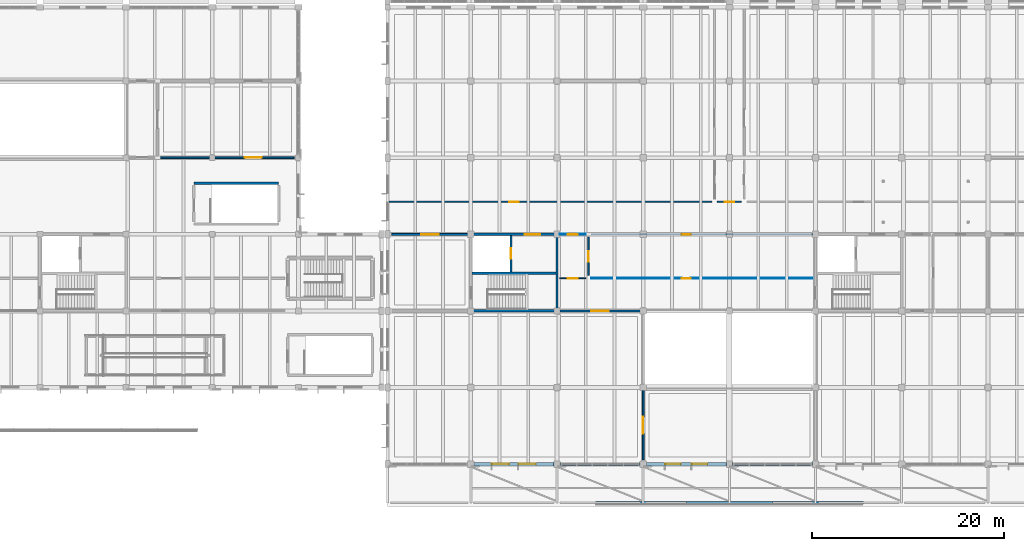
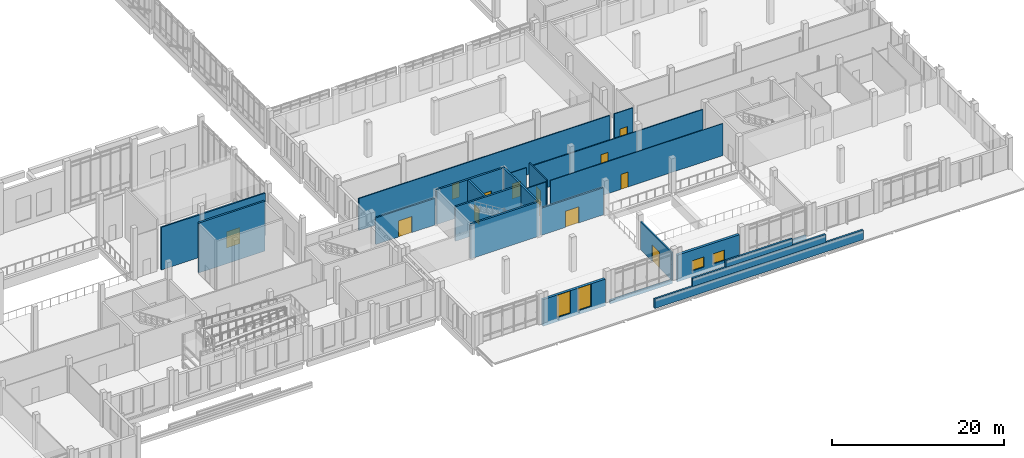
# One storey, part 84 of 110: 24 walls, 13 doors, 4 windows, 17 openings.
"""IFC4 building model written with IfcOpenShell, lengths in metres."""

from ifc_helpers import new_model, si_unit, direction, frame, frame_2d, origin, place, context, subcontext, project, spatial, rectangle, extrude, material, layer, layer_set, type_object, element, fill, save


model = new_model("IFC4")

# Units and contexts
model_context = context("Model", 3, precision=1e-05, world=origin(), true_north=direction((0.0, 1.0)))
body_context = subcontext(model_context, "Body", "Model", "MODEL_VIEW")
ifc_project = project(units=[si_unit("LENGTHUNIT", "METRE"), si_unit("AREAUNIT", "SQUARE_METRE"), si_unit("VOLUMEUNIT", "CUBIC_METRE"), si_unit("PLANEANGLEUNIT", "RADIAN"), si_unit("MASSUNIT", "GRAM", prefix="KILO")], contexts=[model_context])

# Site, building, storey
site_placement = place(None, origin())
site = spatial("IfcSite", under=ifc_project, at=site_placement, CompositionType="ELEMENT")
building_placement = place(site_placement, origin())
building = spatial("IfcBuilding", under=site, at=building_placement, Name="Zacnel Wholesale Market", CompositionType="ELEMENT")
storey_placement = place(building_placement, frame((0.0, 0.0, 6.300048828125)))
storey = spatial("IfcBuildingStorey", under=building, at=storey_placement, Name="L02", CompositionType="ELEMENT", Elevation=6.300048828125)

# Wall, opening, door
ifc_material_1 = material(Name="PIR insulated cold-store panel")
ifc_layer_1 = layer(ifc_material_1, 0.195068359375)
ifc_layer_set_1 = layer_set([ifc_layer_1], Name="PIR insulated cold-store panel")
wall_type_1 = type_object("IfcWallType", Name="WL-COLD-INT195", PredefinedType="STANDARD", material=ifc_layer_set_1)
wall_1_placement = place(storey_placement, frame((120.60009765625, 32.0, 0.0), z_axis=(0.0, 0.0, 1.0), x_axis=(1.0, 0.0, 0.0)))
wall_1 = element("IfcWall", 1, at=wall_1_placement, inside=storey, type_object=wall_type_1, Name="Interior partition L02-0096", PredefinedType="STANDARD", context=body_context, shape_type="SweptSolid", body=[
    extrude(rectangle(XDim=13.949951171875, YDim=0.195068359375, at=frame_2d((6.97509765625, 0.0))), origin(), (0.0, 0.0, 1.0), 6.0400390625),
])
opening_1_placement = place(wall_1_placement, frame((8.77490234375, 0.0, 0.0)))
opening_1 = element("IfcOpeningElement", 2, at=opening_1_placement, cuts=wall_1, Name="Opening FD-03", PredefinedType="OPENING", context=body_context, shape_type="SweptSolid", body=[
    extrude(rectangle(XDim=1.800048828125, YDim=2.300048828125, at=frame_2d((0.89990234375, 1.14990234375))), frame((0.0, 0.107421875, 0.0), z_axis=(0.0, -1.0, 0.0), x_axis=(1.0, 0.0, 0.0)), (0.0, 0.0, 1.0), 0.215087890625),
])
ifc_material_2 = material(Name="Galvanized steel", Category="steel")
door_type_1 = type_object("IfcDoorType", Name="DR-FIRE-COMP-1800", OperationType="NOTDEFINED", PredefinedType="DOOR", material=ifc_material_2)
door_1_placement = place(opening_1_placement, origin())
door_1 = element("IfcDoor", 3, at=door_1_placement, inside=storey, type_object=door_type_1, Name="Interior door L02-0076", OperationType="SINGLE_SWING_RIGHT", OverallHeight=2.300048828125, OverallWidth=1.800048828125, PredefinedType="DOOR", context=body_context, shape_type="SweptSolid", body=[
    extrude(rectangle(XDim=1.800048828125, YDim=2.300048828125, at=frame_2d((0.89990234375, 1.14990234375))), frame((0.0, 0.02490234375, 0.0), z_axis=(0.0, -1.0, 0.0), x_axis=(1.0, 0.0, 0.0)), (0.0, 0.0, 1.0), 0.050048828125),
])
fill(opening_1, door_1)

wall_2_placement = place(storey_placement, frame((144.75, 24.0, 0.0), z_axis=(0.0, 0.0, 1.0), x_axis=(1.0, 0.0, 0.0)))
wall_2 = element("IfcWall", 4, at=wall_2_placement, inside=storey, type_object=wall_type_1, Name="Interior partition L02-0110", PredefinedType="STANDARD", context=body_context, shape_type="SweptSolid", body=[
    extrude(rectangle(XDim=7.949951171875, YDim=0.195068359375, at=frame_2d((3.97509765625, 0.0))), origin(), (0.0, 0.0, 1.0), 3.780029296875),
])
opening_2_placement = place(wall_2_placement, frame((3.074951171875, 0.0, 0.0)))
opening_2 = element("IfcOpeningElement", 5, at=opening_2_placement, cuts=wall_2, Name="Opening FD-03", PredefinedType="OPENING", context=body_context, shape_type="SweptSolid", body=[
    extrude(rectangle(XDim=1.800048828125, YDim=2.300048828125, at=frame_2d((0.89990234375, 1.14990234375))), frame((0.0, 0.107421875, 0.0), z_axis=(0.0, -1.0, 0.0), x_axis=(1.0, 0.0, 0.0)), (0.0, 0.0, 1.0), 0.215087890625),
])
door_2_placement = place(opening_2_placement, origin())
door_2 = element("IfcDoor", 6, at=door_2_placement, inside=storey, type_object=door_type_1, Name="Interior door L02-0090", OperationType="SINGLE_SWING_RIGHT", OverallHeight=2.300048828125, OverallWidth=1.800048828125, PredefinedType="DOOR", context=body_context, shape_type="SweptSolid", body=[
    extrude(rectangle(XDim=1.800048828125, YDim=2.300048828125, at=frame_2d((0.89990234375, 1.14990234375))), frame((0.0, 0.02490234375, 0.0), z_axis=(0.0, -1.0, 0.0), x_axis=(1.0, 0.0, 0.0)), (0.0, 0.0, 1.0), 0.050048828125),
])
fill(opening_2, door_2)

wall_3_placement = place(storey_placement, frame((171.0, 0.449951171875, 0.0), z_axis=(0.0, 0.0, 1.0), x_axis=(0.0, 1.0, 0.0)))
wall_3 = element("IfcWall", 7, at=wall_3_placement, inside=storey, type_object=wall_type_1, Name="Interior partition L02-0126", PredefinedType="STANDARD", context=body_context, shape_type="SweptSolid", body=[
    extrude(rectangle(XDim=7.25, YDim=0.195068359375, at=frame_2d((3.625, 0.0))), origin(), (0.0, 0.0, 1.0), 3.949951171875),
])
opening_3_placement = place(wall_3_placement, frame((2.72509765625, 0.0, 0.0)))
opening_3 = element("IfcOpeningElement", 8, at=opening_3_placement, cuts=wall_3, Name="Opening FD-03", PredefinedType="OPENING", context=body_context, shape_type="SweptSolid", body=[
    extrude(rectangle(XDim=1.800048828125, YDim=2.300048828125, at=frame_2d((0.89990234375, 1.14990234375))), frame((0.0, 0.107421875, 0.0), z_axis=(0.0, -1.0, 0.0), x_axis=(1.0, 0.0, 0.0)), (0.0, 0.0, 1.0), 0.215087890625),
])
door_3_placement = place(opening_3_placement, origin())
door_3 = element("IfcDoor", 9, at=door_3_placement, inside=storey, type_object=door_type_1, Name="Interior door L02-0104", OperationType="SINGLE_SWING_RIGHT", OverallHeight=2.300048828125, OverallWidth=1.800048828125, PredefinedType="DOOR", context=body_context, shape_type="SweptSolid", body=[
    extrude(rectangle(XDim=1.800048828125, YDim=2.300048828125, at=frame_2d((0.89990234375, 1.14990234375))), frame((0.0, 0.02490234375, 0.0), z_axis=(0.0, -1.0, 0.0), x_axis=(1.0, 0.0, 0.0)), (0.0, 0.0, 1.0), 0.050048828125),
])
fill(opening_3, door_3)

ifc_material_3 = material(Name="PIR insulated cold-store panel")
ifc_layer_2 = layer(ifc_material_3, 0.2099609375)
ifc_layer_set_2 = layer_set([ifc_layer_2], Name="PIR insulated cold-store panel")
wall_type_2 = type_object("IfcWallType", Name="WL-COLD-INT210", PredefinedType="STANDARD", material=ifc_layer_set_2)
wall_4_placement = place(storey_placement, frame((162.300048828125, 16.0, 0.0), z_axis=(0.0, 0.0, 1.0), x_axis=(1.0, 0.0, 0.0)))
wall_4 = element("IfcWall", 10, at=wall_4_placement, inside=storey, type_object=wall_type_2, Name="Interior partition L02-0123", PredefinedType="STANDARD", context=body_context, shape_type="SweptSolid", body=[
    extrude(rectangle(XDim=8.39990234375, YDim=0.2099609375, at=frame_2d((4.199951171875, 0.0))), origin(), (0.0, 0.0, 1.0), 3.849853515625),
])
opening_4_placement = place(wall_4_placement, frame((3.300048828125, 0.0, 0.0)))
opening_4 = element("IfcOpeningElement", 11, at=opening_4_placement, cuts=wall_4, Name="Opening FD-03", PredefinedType="OPENING", context=body_context, shape_type="SweptSolid", body=[
    extrude(rectangle(XDim=1.800048828125, YDim=2.300048828125, at=frame_2d((0.89990234375, 1.14990234375))), frame((0.0, 0.114990234375, 0.0), z_axis=(0.0, -1.0, 0.0), x_axis=(1.0, 0.0, 0.0)), (0.0, 0.0, 1.0), 0.22998046875),
])
door_4_placement = place(opening_4_placement, origin())
door_4 = element("IfcDoor", 12, at=door_4_placement, inside=storey, type_object=door_type_1, Name="Interior door L02-0101", OperationType="SINGLE_SWING_LEFT", OverallHeight=2.300048828125, OverallWidth=1.800048828125, PredefinedType="DOOR", context=body_context, shape_type="SweptSolid", body=[
    extrude(rectangle(XDim=1.800048828125, YDim=2.300048828125, at=frame_2d((0.89990234375, 1.14990234375))), frame((0.0, 0.02490234375, 0.0), z_axis=(0.0, -1.0, 0.0), x_axis=(1.0, 0.0, 0.0)), (0.0, 0.0, 1.0), 0.050048828125),
])
fill(opening_4, door_4)

# Wall
ifc_material_4 = material(Name="Concrete C40/50", Category="concrete")
ifc_layer_3 = layer(ifc_material_4, 0.25)
ifc_layer_set_3 = layer_set([ifc_layer_3], Name="Concrete C40/50")
wall_type_3 = type_object("IfcWallType", Name="WL-CORE-SW250", PredefinedType="SOLIDWALL", material=ifc_layer_set_3)
wall_5_placement = place(storey_placement, frame((152.875, 16.0, 0.0), z_axis=(0.0, 0.0, 1.0), x_axis=(1.0, 0.0, 0.0)))
element("IfcWall", 13, at=wall_5_placement, inside=storey, type_object=wall_type_3, Name="Core C1 south shear wall L02", PredefinedType="SOLIDWALL", context=body_context, shape_type="SweptSolid", body=[
    extrude(rectangle(XDim=9.25, YDim=0.25, at=frame_2d((4.625, 0.0))), origin(), (0.0, 0.0, 1.0), 4.89990234375),
])

# Wall, opening, door
wall_6_placement = place(storey_placement, frame((152.875, 24.0, 0.0), z_axis=(0.0, 0.0, 1.0), x_axis=(1.0, 0.0, 0.0)))
wall_6 = element("IfcWall", 14, at=wall_6_placement, inside=storey, type_object=wall_type_3, Name="Core C1 north shear wall L02", PredefinedType="SOLIDWALL", context=body_context, shape_type="SweptSolid", body=[
    extrude(rectangle(XDim=9.25, YDim=0.25, at=frame_2d((4.625, 0.0))), origin(), (0.0, 0.0, 1.0), 4.89990234375),
])
opening_5_placement = place(wall_6_placement, frame((5.77490234375, 0.0, 0.0)))
opening_5 = element("IfcOpeningElement", 15, at=opening_5_placement, cuts=wall_6, Name="Opening FD-02", PredefinedType="OPENING", context=body_context, shape_type="SweptSolid", body=[
    extrude(rectangle(XDim=1.60009765625, YDim=2.199951171875, at=frame_2d((0.800048828125, 1.10009765625))), frame((0.0, 0.135009765625, 0.0), z_axis=(0.0, -1.0, 0.0), x_axis=(1.0, 0.0, 0.0)), (0.0, 0.0, 1.0), 0.27001953125),
])
ifc_material_5 = material(Name="Galvanized steel", Category="steel")
door_type_2 = type_object("IfcDoorType", Name="DR-FIRE-LOBBY-1600", OperationType="NOTDEFINED", PredefinedType="DOOR", material=ifc_material_5)
door_5_placement = place(opening_5_placement, origin())
door_5 = element("IfcDoor", 16, at=door_5_placement, inside=storey, type_object=door_type_2, Name="Core lift lobby fire door C1 L02", OperationType="SINGLE_SWING_LEFT", OverallHeight=2.199951171875, OverallWidth=1.60009765625, PredefinedType="DOOR", context=body_context, shape_type="SweptSolid", body=[
    extrude(rectangle(XDim=1.60009765625, YDim=2.199951171875, at=frame_2d((0.800048828125, 1.10009765625))), frame((0.0, 0.02490234375, 0.0), z_axis=(0.0, -1.0, 0.0), x_axis=(1.0, 0.0, 0.0)), (0.0, 0.0, 1.0), 0.050048828125),
])
fill(opening_5, door_5)

# Walls
wall_7_placement = place(storey_placement, frame((162.0, 16.125, 0.0), z_axis=(0.0, 0.0, 1.0), x_axis=(0.0, 1.0, 0.0)))
element("IfcWall", 17, at=wall_7_placement, inside=storey, type_object=wall_type_3, Name="Core C1 east shear wall L02", PredefinedType="SOLIDWALL", context=body_context, shape_type="SweptSolid", body=[
    extrude(rectangle(XDim=7.75, YDim=0.25, at=frame_2d((3.875, 0.0))), origin(), (0.0, 0.0, 1.0), 4.89990234375),
])
wall_8_placement = place(storey_placement, frame((153.125, 19.949951171875, 0.0), z_axis=(0.0, 0.0, 1.0), x_axis=(1.0, 0.0, 0.0)))
element("IfcWall", 18, at=wall_8_placement, inside=storey, type_object=wall_type_3, Name="Core C1 stair-shaft shear wall L02", PredefinedType="SOLIDWALL", context=body_context, shape_type="SweptSolid", body=[
    extrude(rectangle(XDim=8.75, YDim=0.25, at=frame_2d((4.375, 0.0))), origin(), (0.0, 0.0, 1.0), 4.89990234375),
])

# Wall, opening, door
wall_9_placement = place(storey_placement, frame((157.199951171875, 20.074951171875, 0.0), z_axis=(0.0, 0.0, 1.0), x_axis=(0.0, 1.0, 0.0)))
wall_9 = element("IfcWall", 19, at=wall_9_placement, inside=storey, type_object=wall_type_3, Name="Core C1 lift shaft front wall L02", PredefinedType="SOLIDWALL", context=body_context, shape_type="SweptSolid", body=[
    extrude(rectangle(XDim=3.800048828125, YDim=0.25, at=frame_2d((1.89990234375, 0.0))), origin(), (0.0, 0.0, 1.0), 4.89990234375),
])
opening_6_placement = place(wall_9_placement, frame((1.35009765625, 0.0, 0.0)))
opening_6 = element("IfcOpeningElement", 20, at=opening_6_placement, cuts=wall_9, Name="Opening LD-01", PredefinedType="OPENING", context=body_context, shape_type="SweptSolid", body=[
    extrude(rectangle(XDim=1.10009765625, YDim=2.199951171875, at=frame_2d((0.550048828125, 1.10009765625))), frame((0.0, 0.135009765625, 0.0), z_axis=(0.0, -1.0, 0.0), x_axis=(1.0, 0.0, 0.0)), (0.0, 0.0, 1.0), 0.27001953125),
])
ifc_material_6 = material(Name="Galvanized steel", Category="steel")
door_type_3 = type_object("IfcDoorType", Name="DR-LIFT-PASS-1100", OperationType="NOTDEFINED", PredefinedType="DOOR", material=ifc_material_6)
door_6_placement = place(opening_6_placement, origin())
door_6 = element("IfcDoor", 21, at=door_6_placement, inside=storey, type_object=door_type_3, Name="Lift landing door LP-01 L02", OperationType="SLIDING_TO_LEFT", OverallHeight=2.199951171875, OverallWidth=1.10009765625, PredefinedType="DOOR", context=body_context, shape_type="SweptSolid", body=[
    extrude(rectangle(XDim=1.10009765625, YDim=2.199951171875, at=frame_2d((0.550048828125, 1.10009765625))), frame((0.0, 0.02490234375, 0.0), z_axis=(0.0, -1.0, 0.0), x_axis=(1.0, 0.0, 0.0)), (0.0, 0.0, 1.0), 0.050048828125),
])
fill(opening_6, door_6)

# Walls
wall_10_placement = place(storey_placement, frame((124.074951171875, 29.324951171875, 0.0), z_axis=(0.0, 0.0, 1.0), x_axis=(1.0, 0.0, 0.0)))
element("IfcWall", 22, at=wall_10_placement, inside=storey, type_object=wall_type_3, Name="Stair ST-19 north enclosure wall L02", PredefinedType="SOLIDWALL", context=body_context, shape_type="SweptSolid", body=[
    extrude(rectangle(XDim=8.85009765625, YDim=0.25, at=frame_2d((4.425048828125, 0.0))), origin(), (0.0, 0.0, 1.0), 7.08984375),
])
ifc_material_7 = material(Name="Precast concrete C40/50 (Cancun limestone aggregate)", Category="masonry")
ifc_layer_4 = layer(ifc_material_7, 0.300048828125)
ifc_layer_set_4 = layer_set([ifc_layer_4], Name="Precast concrete C40/50 (Cancun limestone aggregate)")
wall_type_4 = type_object("IfcWallType", Name="WL-EXT-LIME-300", PredefinedType="SOLIDWALL", material=ifc_layer_set_4)
for number, where, z_axis, x_axis, name in (
    (23, (162.324951171875, 0.0, 0.0), (0.0, 0.0, 1.0), (1.0, 0.0, 0.0), "Curtain-wall limestone plinth L02-0017"),
    (24, (180.324951171875, 0.0, 0.0), (0.0, 0.0, 1.0), (1.0, 0.0, 0.0), "Curtain-wall limestone plinth L02-0018"),
):
    element("IfcWall", number, at=place(storey_placement, frame(where, z_axis=z_axis, x_axis=x_axis)), inside=storey, type_object=wall_type_4, Name=name, PredefinedType="SOLIDWALL", context=body_context, shape_type="SweptSolid", body=[
        extrude(rectangle(XDim=8.35009765625, YDim=0.300048828125, at=frame_2d((4.175048828125, 0.0))), origin(), (0.0, 0.0, 1.0), 0.449951171875),
    ])

# Wall, openings, windows
ifc_material_8 = material(Name="Precast concrete C40/50 (Cancun limestone aggregate)", Category="masonry")
ifc_layer_5 = layer(ifc_material_8, 0.340087890625)
ifc_layer_set_5 = layer_set([ifc_layer_5], Name="Precast concrete C40/50 (Cancun limestone aggregate)")
wall_type_5 = type_object("IfcWallType", Name="WL-EXT-LIME-340", PredefinedType="SOLIDWALL", material=ifc_layer_set_5)
wall_11_placement = place(storey_placement, frame((153.324951171875, 0.0, 0.0), z_axis=(0.0, 0.0, 1.0), x_axis=(1.0, 0.0, 0.0)))
wall_11 = element("IfcWall", 25, at=wall_11_placement, inside=storey, type_object=wall_type_5, Name="Exterior wall L02-0259", PredefinedType="SOLIDWALL", context=body_context, shape_type="SweptSolid", body=[
    extrude(rectangle(XDim=8.35009765625, YDim=0.340087890625, at=frame_2d((4.175048828125, 0.0))), origin(), (0.0, 0.0, 1.0), 3.780029296875),
])
opening_7_placement = place(wall_11_placement, frame((1.883056640625, 0.0, 0.590087890625)))
opening_7 = element("IfcOpeningElement", 26, at=opening_7_placement, cuts=wall_11, Name="Opening W-03", PredefinedType="OPENING", context=body_context, shape_type="SweptSolid", body=[
    extrude(rectangle(XDim=1.800048828125, YDim=3.14990234375, at=frame_2d((0.89990234375, 1.574951171875))), frame((0.0, 0.179931640625, 0.0), z_axis=(0.0, -1.0, 0.0), x_axis=(1.0, 0.0, 0.0)), (0.0, 0.0, 1.0), 0.360107421875),
])
opening_8_placement = place(wall_11_placement, frame((4.6669921875, 0.0, 0.590087890625)))
opening_8 = element("IfcOpeningElement", 27, at=opening_8_placement, cuts=wall_11, Name="Opening W-03", PredefinedType="OPENING", context=body_context, shape_type="SweptSolid", body=[
    extrude(rectangle(XDim=1.800048828125, YDim=3.14990234375, at=frame_2d((0.89990234375, 1.574951171875))), frame((0.0, 0.179931640625, 0.0), z_axis=(0.0, -1.0, 0.0), x_axis=(1.0, 0.0, 0.0)), (0.0, 0.0, 1.0), 0.360107421875),
])
ifc_material_9 = material(Name="Laminated hurricane-impact low-E insulated glass", Category="glass")
window_type_1 = type_object("IfcWindowType", Name="WIN-DEC-1800X3150", PartitioningType="DOUBLE_PANEL_VERTICAL", PredefinedType="WINDOW", material=ifc_material_9)
window_1_placement = place(opening_7_placement, origin())
window_1 = element("IfcWindow", 28, at=window_1_placement, inside=storey, type_object=window_type_1, Name="Window L02-0253", OverallHeight=3.14990234375, OverallWidth=1.800048828125, PartitioningType="DOUBLE_PANEL_VERTICAL", PredefinedType="WINDOW", context=body_context, shape_type="SweptSolid", body=[
    extrude(rectangle(XDim=1.800048828125, YDim=3.14990234375, at=frame_2d((0.89990234375, 1.574951171875))), frame((0.0, 0.030029296875, 0.0), z_axis=(0.0, -1.0, 0.0), x_axis=(1.0, 0.0, 0.0)), (0.0, 0.0, 1.0), 0.06005859375),
])
fill(opening_7, window_1)
window_2_placement = place(opening_8_placement, origin())
window_2 = element("IfcWindow", 29, at=window_2_placement, inside=storey, type_object=window_type_1, Name="Window L02-0254", OverallHeight=3.14990234375, OverallWidth=1.800048828125, PartitioningType="DOUBLE_PANEL_VERTICAL", PredefinedType="WINDOW", context=body_context, shape_type="SweptSolid", body=[
    extrude(rectangle(XDim=1.800048828125, YDim=3.14990234375, at=frame_2d((0.89990234375, 1.574951171875))), frame((0.0, 0.030029296875, 0.0), z_axis=(0.0, -1.0, 0.0), x_axis=(1.0, 0.0, 0.0)), (0.0, 0.0, 1.0), 0.06005859375),
])
fill(opening_8, window_2)

wall_12_placement = place(storey_placement, frame((171.324951171875, 0.0, 0.0), z_axis=(0.0, 0.0, 1.0), x_axis=(1.0, 0.0, 0.0)))
wall_12 = element("IfcWall", 30, at=wall_12_placement, inside=storey, type_object=wall_type_5, Name="Exterior wall L02-0260", PredefinedType="SOLIDWALL", context=body_context, shape_type="SweptSolid", body=[
    extrude(rectangle(XDim=8.35009765625, YDim=0.340087890625, at=frame_2d((4.175048828125, 0.0))), origin(), (0.0, 0.0, 1.0), 3.780029296875),
])
opening_9_placement = place(wall_12_placement, frame((1.98291015625, 0.0, 0.85009765625)))
opening_9 = element("IfcOpeningElement", 31, at=opening_9_placement, cuts=wall_12, Name="Opening W-06", PredefinedType="OPENING", context=body_context, shape_type="SweptSolid", body=[
    extrude(rectangle(XDim=1.60009765625, YDim=1.449951171875, at=frame_2d((0.800048828125, 0.72509765625))), frame((0.0, 0.179931640625, 0.0), z_axis=(0.0, -1.0, 0.0), x_axis=(1.0, 0.0, 0.0)), (0.0, 0.0, 1.0), 0.360107421875),
])
opening_10_placement = place(wall_12_placement, frame((4.76708984375, 0.0, 0.85009765625)))
opening_10 = element("IfcOpeningElement", 32, at=opening_10_placement, cuts=wall_12, Name="Opening W-06", PredefinedType="OPENING", context=body_context, shape_type="SweptSolid", body=[
    extrude(rectangle(XDim=1.60009765625, YDim=1.449951171875, at=frame_2d((0.800048828125, 0.72509765625))), frame((0.0, 0.179931640625, 0.0), z_axis=(0.0, -1.0, 0.0), x_axis=(1.0, 0.0, 0.0)), (0.0, 0.0, 1.0), 0.360107421875),
])
ifc_material_10 = material(Name="Laminated hurricane-impact low-E insulated glass", Category="glass")
window_type_2 = type_object("IfcWindowType", Name="WIN-HIG-1600X1450", PartitioningType="DOUBLE_PANEL_HORIZONTAL", PredefinedType="WINDOW", material=ifc_material_10)
window_3_placement = place(opening_9_placement, origin())
window_3 = element("IfcWindow", 33, at=window_3_placement, inside=storey, type_object=window_type_2, Name="Window L02-0255", OverallHeight=1.449951171875, OverallWidth=1.60009765625, PartitioningType="DOUBLE_PANEL_HORIZONTAL", PredefinedType="WINDOW", context=body_context, shape_type="SweptSolid", body=[
    extrude(rectangle(XDim=1.60009765625, YDim=1.449951171875, at=frame_2d((0.800048828125, 0.72509765625))), frame((0.0, 0.030029296875, 0.0), z_axis=(0.0, -1.0, 0.0), x_axis=(1.0, 0.0, 0.0)), (0.0, 0.0, 1.0), 0.06005859375),
])
fill(opening_9, window_3)
window_4_placement = place(opening_10_placement, origin())
window_4 = element("IfcWindow", 34, at=window_4_placement, inside=storey, type_object=window_type_2, Name="Window L02-0256", OverallHeight=1.449951171875, OverallWidth=1.60009765625, PartitioningType="DOUBLE_PANEL_HORIZONTAL", PredefinedType="WINDOW", context=body_context, shape_type="SweptSolid", body=[
    extrude(rectangle(XDim=1.60009765625, YDim=1.449951171875, at=frame_2d((0.800048828125, 0.72509765625))), frame((0.0, 0.030029296875, 0.0), z_axis=(0.0, -1.0, 0.0), x_axis=(1.0, 0.0, 0.0)), (0.0, 0.0, 1.0), 0.06005859375),
])
fill(opening_10, window_4)

# Walls
ifc_material_11 = material(Name="Precast concrete C40/50 (Cancun limestone aggregate)", Category="masonry")
ifc_layer_6 = layer(ifc_material_11, 0.25)
ifc_layer_set_6 = layer_set([ifc_layer_6], Name="Precast concrete C40/50 (Cancun limestone aggregate)")
wall_type_6 = type_object("IfcWallType", Name="WL-PAR-ZIG-250", PredefinedType="PARAPET", material=ifc_layer_set_6)
wall_13_placement = place(storey_placement, frame((166.0, -4.050048828125, 0.5), z_axis=(0.0, 0.0, 1.0), x_axis=(1.0, 0.0, 0.0)))
element("IfcWall", 35, at=wall_13_placement, inside=storey, type_object=wall_type_6, Name="Mayan-Art-Deco stepped portal crown ENV-CRN-V5CAN-1", PredefinedType="PARAPET", context=body_context, shape_type="SweptSolid", body=[
    extrude(rectangle(XDim=28.0, YDim=0.25, at=frame_2d((14.0, 0.0))), origin(), (0.0, 0.0, 1.0), 1.349853515625),
])
wall_14_placement = place(storey_placement, frame((171.0400390625, -4.050048828125, 1.849853515625), z_axis=(0.0, 0.0, 1.0), x_axis=(1.0, 0.0, 0.0)))
element("IfcWall", 36, at=wall_14_placement, inside=storey, type_object=wall_type_6, Name="Mayan-Art-Deco stepped portal crown ENV-CRN-V5CAN-2", PredefinedType="PARAPET", context=body_context, shape_type="SweptSolid", body=[
    extrude(rectangle(XDim=17.919921875, YDim=0.25, at=frame_2d((8.9599609375, 0.0))), origin(), (0.0, 0.0, 1.0), 1.150146484375),
])
wall_15_placement = place(storey_placement, frame((175.52001953125, -4.050048828125, 3.0), z_axis=(0.0, 0.0, 1.0), x_axis=(1.0, 0.0, 0.0)))
element("IfcWall", 37, at=wall_15_placement, inside=storey, type_object=wall_type_6, Name="Mayan-Art-Deco stepped portal crown ENV-CRN-V5CAN-3", PredefinedType="PARAPET", context=body_context, shape_type="SweptSolid", body=[
    extrude(rectangle(XDim=8.9599609375, YDim=0.25, at=frame_2d((4.47998046875, 0.0))), origin(), (0.0, 0.0, 1.0), 0.949951171875),
])

# Wall, opening, door
ifc_material_12 = material(Name="Moisture-resistant gypsum board partition")
ifc_layer_7 = layer(ifc_material_12, 0.10009765625)
ifc_layer_set_7 = layer_set([ifc_layer_7], Name="Moisture-resistant gypsum board partition")
wall_type_7 = type_object("IfcWallType", Name="WL-PART-GYP100", PredefinedType="PARTITIONING", material=ifc_layer_set_7)
wall_16_placement = place(storey_placement, frame((162.300048828125, 24.0, 0.0), z_axis=(0.0, 0.0, 1.0), x_axis=(1.0, 0.0, 0.0)))
wall_16 = element("IfcWall", 38, at=wall_16_placement, inside=storey, type_object=wall_type_7, Name="Interior partition L02-0108", PredefinedType="PARTITIONING", context=body_context, shape_type="SweptSolid", body=[
    extrude(rectangle(XDim=2.699951171875, YDim=0.10009765625, at=frame_2d((1.35009765625, 0.0))), origin(), (0.0, 0.0, 1.0), 3.780029296875),
])
opening_11_placement = place(wall_16_placement, frame((0.81005859375, 0.0, 0.0)))
opening_11 = element("IfcOpeningElement", 39, at=opening_11_placement, cuts=wall_16, Name="Opening ID-10", PredefinedType="OPENING", context=body_context, shape_type="SweptSolid", body=[
    extrude(rectangle(XDim=1.080078125, YDim=2.14990234375, at=frame_2d((0.5400390625, 1.074951171875))), frame((0.0, 0.06005859375, 0.0), z_axis=(0.0, -1.0, 0.0), x_axis=(1.0, 0.0, 0.0)), (0.0, 0.0, 1.0), 0.1201171875),
])
ifc_material_13 = material(Name="Galvanized steel", Category="steel")
door_type_4 = type_object("IfcDoorType", Name="DR-STR-SGL-1080", OperationType="NOTDEFINED", PredefinedType="DOOR", material=ifc_material_13)
door_7_placement = place(opening_11_placement, origin())
door_7 = element("IfcDoor", 40, at=door_7_placement, inside=storey, type_object=door_type_4, Name="Interior door L02-0088", OperationType="SINGLE_SWING_RIGHT", OverallHeight=2.14990234375, OverallWidth=1.080078125, PredefinedType="DOOR", context=body_context, shape_type="SweptSolid", body=[
    extrude(rectangle(XDim=1.080078125, YDim=2.14990234375, at=frame_2d((0.5400390625, 1.074951171875))), frame((0.0, 0.02490234375, 0.0), z_axis=(0.0, -1.0, 0.0), x_axis=(1.0, 0.0, 0.0)), (0.0, 0.0, 1.0), 0.050048828125),
])
fill(opening_11, door_7)

wall_17_placement = place(storey_placement, frame((165.60009765625, 19.39990234375, 0.0), z_axis=(0.0, 0.0, 1.0), x_axis=(1.0, 0.0, 0.0)))
wall_17 = element("IfcWall", 41, at=wall_17_placement, inside=storey, type_object=wall_type_7, Name="Interior partition L02-0124", PredefinedType="PARTITIONING", context=body_context, shape_type="SweptSolid", body=[
    extrude(rectangle(XDim=23.099853515625, YDim=0.10009765625, at=frame_2d((11.5498046875, 0.0))), origin(), (0.0, 0.0, 1.0), 4.56005859375),
])
opening_12_placement = place(wall_17_placement, frame((9.409912109375, 0.0, 0.0)))
opening_12 = element("IfcOpeningElement", 42, at=opening_12_placement, cuts=wall_17, Name="Opening ID-04", PredefinedType="OPENING", context=body_context, shape_type="SweptSolid", body=[
    extrude(rectangle(XDim=0.97998046875, YDim=2.1201171875, at=frame_2d((0.489990234375, 1.06005859375))), frame((0.0, 0.06005859375, 0.0), z_axis=(0.0, -1.0, 0.0), x_axis=(1.0, 0.0, 0.0)), (0.0, 0.0, 1.0), 0.1201171875),
])
ifc_material_14 = material(Name="Solid-core tropical hardwood door", Category="wood")
door_type_5 = type_object("IfcDoorType", Name="DR-OFF-SGL-980", OperationType="NOTDEFINED", PredefinedType="DOOR", material=ifc_material_14)
door_8_placement = place(opening_12_placement, origin())
door_8 = element("IfcDoor", 43, at=door_8_placement, inside=storey, type_object=door_type_5, Name="Interior door L02-0102", OperationType="SINGLE_SWING_RIGHT", OverallHeight=2.1201171875, OverallWidth=0.97998046875, PredefinedType="DOOR", context=body_context, shape_type="SweptSolid", body=[
    extrude(rectangle(XDim=0.97998046875, YDim=2.1201171875, at=frame_2d((0.489990234375, 1.06005859375))), frame((0.0, 0.02490234375, 0.0), z_axis=(0.0, -1.0, 0.0), x_axis=(1.0, 0.0, 0.0)), (0.0, 0.0, 1.0), 0.050048828125),
])
fill(opening_12, door_8)

ifc_material_15 = material(Name="Moisture-resistant gypsum board partition")
ifc_layer_8 = layer(ifc_material_15, 0.125)
ifc_layer_set_8 = layer_set([ifc_layer_8], Name="Moisture-resistant gypsum board partition")
wall_type_8 = type_object("IfcWallType", Name="WL-PART-GYP125", PredefinedType="PARTITIONING", material=ifc_layer_set_8)
wall_18_placement = place(storey_placement, frame((178.75, 27.39990234375, 0.0), z_axis=(0.0, 0.0, 1.0), x_axis=(1.0, 0.0, 0.0)))
wall_18 = element("IfcWall", 44, at=wall_18_placement, inside=storey, type_object=wall_type_8, Name="Interior partition L02-0106", PredefinedType="PARTITIONING", context=body_context, shape_type="SweptSolid", body=[
    extrude(rectangle(XDim=2.5, YDim=0.125, at=frame_2d((1.25, 0.0))), origin(), (0.0, 0.0, 1.0), 4.56005859375),
])
opening_13_placement = place(wall_18_placement, frame((0.75, 0.0, 0.0)))
opening_13 = element("IfcOpeningElement", 45, at=opening_13_placement, cuts=wall_18, Name="Opening ID-03", PredefinedType="OPENING", context=body_context, shape_type="SweptSolid", body=[
    extrude(rectangle(XDim=1.0, YDim=2.14990234375, at=frame_2d((0.5, 1.074951171875))), frame((0.0, 0.072509765625, 0.0), z_axis=(0.0, -1.0, 0.0), x_axis=(1.0, 0.0, 0.0)), (0.0, 0.0, 1.0), 0.14501953125),
])
ifc_material_16 = material(Name="Solid-core tropical hardwood door", Category="wood")
door_type_6 = type_object("IfcDoorType", Name="DR-OFF-SGL-1000", OperationType="NOTDEFINED", PredefinedType="DOOR", material=ifc_material_16)
door_9_placement = place(opening_13_placement, origin())
door_9 = element("IfcDoor", 46, at=door_9_placement, inside=storey, type_object=door_type_6, Name="Interior door L02-0086", OperationType="SINGLE_SWING_RIGHT", OverallHeight=2.14990234375, OverallWidth=1.0, PredefinedType="DOOR", context=body_context, shape_type="SweptSolid", body=[
    extrude(rectangle(XDim=1.0, YDim=2.14990234375, at=frame_2d((0.5, 1.074951171875))), frame((0.0, 0.02490234375, 0.0), z_axis=(0.0, -1.0, 0.0), x_axis=(1.0, 0.0, 0.0)), (0.0, 0.0, 1.0), 0.050048828125),
])
fill(opening_13, door_9)

wall_19_placement = place(storey_placement, frame((162.300048828125, 19.39990234375, 0.0), z_axis=(0.0, 0.0, 1.0), x_axis=(1.0, 0.0, 0.0)))
wall_19 = element("IfcWall", 47, at=wall_19_placement, inside=storey, type_object=wall_type_8, Name="Interior partition L02-0122", PredefinedType="PARTITIONING", context=body_context, shape_type="SweptSolid", body=[
    extrude(rectangle(XDim=2.699951171875, YDim=0.125, at=frame_2d((1.35009765625, 0.0))), origin(), (0.0, 0.0, 1.0), 4.56005859375),
])
opening_14_placement = place(wall_19_placement, frame((0.840087890625, 0.0, 0.0)))
opening_14 = element("IfcOpeningElement", 48, at=opening_14_placement, cuts=wall_19, Name="Opening ID-12", PredefinedType="OPENING", context=body_context, shape_type="SweptSolid", body=[
    extrude(rectangle(XDim=1.02001953125, YDim=2.179931640625, at=frame_2d((0.510009765625, 1.08984375))), frame((0.0, 0.072509765625, 0.0), z_axis=(0.0, -1.0, 0.0), x_axis=(1.0, 0.0, 0.0)), (0.0, 0.0, 1.0), 0.14501953125),
])
ifc_material_17 = material(Name="Solid-core tropical hardwood door", Category="wood")
door_type_7 = type_object("IfcDoorType", Name="DR-OFF-SGL-1020", OperationType="NOTDEFINED", PredefinedType="DOOR", material=ifc_material_17)
door_10_placement = place(opening_14_placement, origin())
door_10 = element("IfcDoor", 49, at=door_10_placement, inside=storey, type_object=door_type_7, Name="Interior door L02-0100", OperationType="SINGLE_SWING_RIGHT", OverallHeight=2.179931640625, OverallWidth=1.02001953125, PredefinedType="DOOR", context=body_context, shape_type="SweptSolid", body=[
    extrude(rectangle(XDim=1.02001953125, YDim=2.179931640625, at=frame_2d((0.510009765625, 1.08984375))), frame((0.0, 0.02490234375, 0.0), z_axis=(0.0, -1.0, 0.0), x_axis=(1.0, 0.0, 0.0)), (0.0, 0.0, 1.0), 0.050048828125),
])
fill(opening_14, door_10)

ifc_material_18 = material(Name="Moisture-resistant gypsum board partition")
ifc_layer_9 = layer(ifc_material_18, 0.139892578125)
ifc_layer_set_9 = layer_set([ifc_layer_9], Name="Moisture-resistant gypsum board partition")
wall_type_9 = type_object("IfcWallType", Name="WL-PART-GYP140", PredefinedType="PARTITIONING", material=ifc_layer_set_9)
wall_20_placement = place(storey_placement, frame((144.449951171875, 27.39990234375, 0.0), z_axis=(0.0, 0.0, 1.0), x_axis=(1.0, 0.0, 0.0)))
wall_20 = element("IfcWall", 50, at=wall_20_placement, inside=storey, type_object=wall_type_9, Name="Interior partition L02-0105", PredefinedType="PARTITIONING", context=body_context, shape_type="SweptSolid", body=[
    extrude(rectangle(XDim=33.699951171875, YDim=0.139892578125, at=frame_2d((16.85009765625, 0.0))), origin(), (0.0, 0.0, 1.0), 4.56005859375),
])
opening_15_placement = place(wall_20_placement, frame((12.5400390625, 0.0, 0.0)))
opening_15 = element("IfcOpeningElement", 51, at=opening_15_placement, cuts=wall_20, Name="Opening ID-12", PredefinedType="OPENING", context=body_context, shape_type="SweptSolid", body=[
    extrude(rectangle(XDim=1.02001953125, YDim=2.179931640625, at=frame_2d((0.510009765625, 1.08984375))), frame((0.0, 0.079833984375, 0.0), z_axis=(0.0, -1.0, 0.0), x_axis=(1.0, 0.0, 0.0)), (0.0, 0.0, 1.0), 0.159912109375),
])
door_11_placement = place(opening_15_placement, origin())
door_11 = element("IfcDoor", 52, at=door_11_placement, inside=storey, type_object=door_type_7, Name="Interior door L02-0085", OperationType="SINGLE_SWING_LEFT", OverallHeight=2.179931640625, OverallWidth=1.02001953125, PredefinedType="DOOR", context=body_context, shape_type="SweptSolid", body=[
    extrude(rectangle(XDim=1.02001953125, YDim=2.179931640625, at=frame_2d((0.510009765625, 1.08984375))), frame((0.0, 0.02490234375, 0.0), z_axis=(0.0, -1.0, 0.0), x_axis=(1.0, 0.0, 0.0)), (0.0, 0.0, 1.0), 0.050048828125),
])
fill(opening_15, door_11)

wall_21_placement = place(storey_placement, frame((165.60009765625, 24.0, 0.0), z_axis=(0.0, 0.0, 1.0), x_axis=(1.0, 0.0, 0.0)))
wall_21 = element("IfcWall", 53, at=wall_21_placement, inside=storey, type_object=wall_type_9, Name="Interior partition L02-0109", PredefinedType="PARTITIONING", context=body_context, shape_type="SweptSolid", body=[
    extrude(rectangle(XDim=23.099853515625, YDim=0.139892578125, at=frame_2d((11.5498046875, 0.0))), origin(), (0.0, 0.0, 1.0), 3.780029296875),
])
opening_16_placement = place(wall_21_placement, frame((9.429931640625, 0.0, 0.0)))
opening_16 = element("IfcOpeningElement", 54, at=opening_16_placement, cuts=wall_21, Name="Opening ID-11", PredefinedType="OPENING", context=body_context, shape_type="SweptSolid", body=[
    extrude(rectangle(XDim=0.93994140625, YDim=2.139892578125, at=frame_2d((0.469970703125, 1.06982421875))), frame((0.0, 0.079833984375, 0.0), z_axis=(0.0, -1.0, 0.0), x_axis=(1.0, 0.0, 0.0)), (0.0, 0.0, 1.0), 0.159912109375),
])
ifc_material_19 = material(Name="Solid-core tropical hardwood door", Category="wood")
door_type_8 = type_object("IfcDoorType", Name="DR-OFF-SGL-940", OperationType="NOTDEFINED", PredefinedType="DOOR", material=ifc_material_19)
door_12_placement = place(opening_16_placement, origin())
door_12 = element("IfcDoor", 55, at=door_12_placement, inside=storey, type_object=door_type_8, Name="Interior door L02-0089", OperationType="SINGLE_SWING_LEFT", OverallHeight=2.139892578125, OverallWidth=0.93994140625, PredefinedType="DOOR", context=body_context, shape_type="SweptSolid", body=[
    extrude(rectangle(XDim=0.93994140625, YDim=2.139892578125, at=frame_2d((0.469970703125, 1.06982421875))), frame((0.0, 0.02490234375, 0.0), z_axis=(0.0, -1.0, 0.0), x_axis=(1.0, 0.0, 0.0)), (0.0, 0.0, 1.0), 0.050048828125),
])
fill(opening_16, door_12)

wall_22_placement = place(storey_placement, frame((165.300048828125, 19.699951171875, 0.0), z_axis=(0.0, 0.0, 1.0), x_axis=(0.0, 1.0, 0.0)))
wall_22 = element("IfcWall", 56, at=wall_22_placement, inside=storey, type_object=wall_type_9, Name="Interior partition L02-0125", PredefinedType="PARTITIONING", context=body_context, shape_type="SweptSolid", body=[
    extrude(rectangle(XDim=4.0, YDim=0.139892578125, at=frame_2d((2.0, 0.0))), origin(), (0.0, 0.0, 1.0), 4.56005859375),
])
opening_17_placement = place(wall_22_placement, frame((1.4599609375, 0.0, 0.0)))
opening_17 = element("IfcOpeningElement", 57, at=opening_17_placement, cuts=wall_22, Name="Opening ID-10", PredefinedType="OPENING", context=body_context, shape_type="SweptSolid", body=[
    extrude(rectangle(XDim=1.080078125, YDim=2.14990234375, at=frame_2d((0.5400390625, 1.074951171875))), frame((0.0, 0.079833984375, 0.0), z_axis=(0.0, -1.0, 0.0), x_axis=(1.0, 0.0, 0.0)), (0.0, 0.0, 1.0), 0.159912109375),
])
door_13_placement = place(opening_17_placement, origin())
door_13 = element("IfcDoor", 58, at=door_13_placement, inside=storey, type_object=door_type_4, Name="Interior door L02-0103", OperationType="SINGLE_SWING_LEFT", OverallHeight=2.14990234375, OverallWidth=1.080078125, PredefinedType="DOOR", context=body_context, shape_type="SweptSolid", body=[
    extrude(rectangle(XDim=1.080078125, YDim=2.14990234375, at=frame_2d((0.5400390625, 1.074951171875))), frame((0.0, 0.02490234375, 0.0), z_axis=(0.0, -1.0, 0.0), x_axis=(1.0, 0.0, 0.0)), (0.0, 0.0, 1.0), 0.050048828125),
])
fill(opening_17, door_13)

save(model, "model.ifc")
